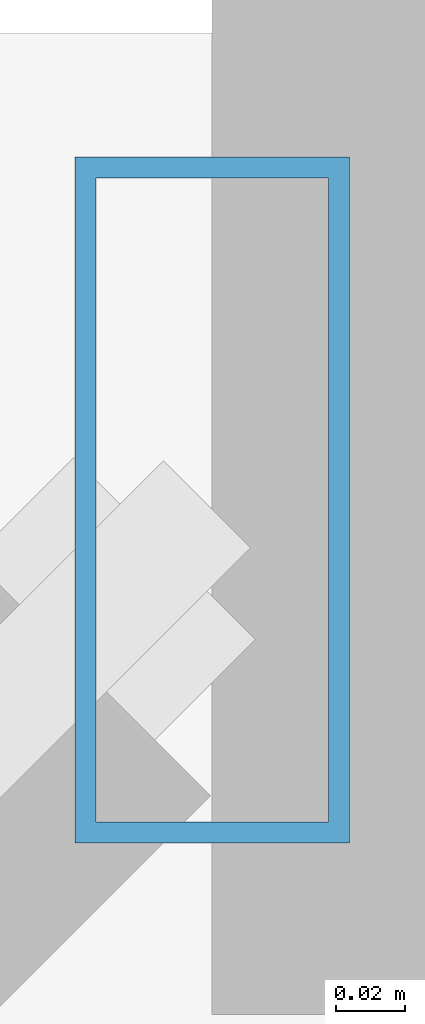
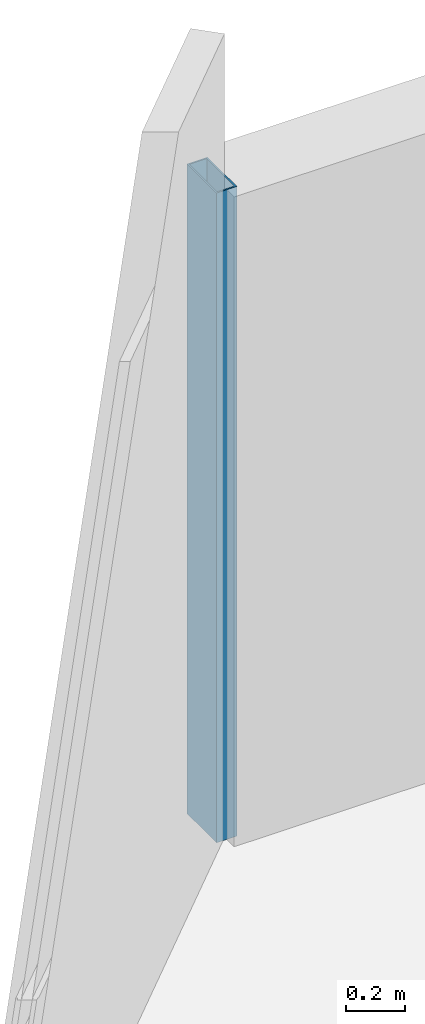
# One storey, part 16 of 33: 1 member, 1 element without a shape of its own.
"""IFC4 building model written with IfcOpenShell, lengths in metres."""

from ifc_helpers import new_model, si_unit, direction, frame, origin, origin_2d, place, context, subcontext, project, spatial, hollow_rectangle, extrude, material, material_profile, profile_set, type_object, element, aggregate, save


model = new_model("IFC4")

# Units and contexts
model_context = context("Model", 3, precision=1e-05, world=origin(), true_north=direction((0.0, 1.0)))
body_context = subcontext(model_context, "Body", "Model", "MODEL_VIEW")
ifc_project = project(units=[si_unit("LENGTHUNIT", "METRE"), si_unit("AREAUNIT", "SQUARE_METRE"), si_unit("VOLUMEUNIT", "CUBIC_METRE"), si_unit("PLANEANGLEUNIT", "RADIAN"), si_unit("MASSUNIT", "GRAM", prefix="KILO")], contexts=[model_context])

# Site, building, storey
site_placement = place(None, origin())
site = spatial("IfcSite", under=ifc_project, at=site_placement, CompositionType="ELEMENT")
building_placement = place(site_placement, origin())
building = spatial("IfcBuilding", under=site, at=building_placement, Name="Thornwick Lancets Civic Towers", CompositionType="ELEMENT")
storey_placement = place(building_placement, frame((0.0, 0.0, 167.10009765625)))
storey = spatial("IfcBuildingStorey", under=building, at=storey_placement, Name="L44", CompositionType="ELEMENT", Elevation=167.10009765625)

# Curtain wall, member
ifc_material_1 = material(Name="Mid-zone chamfered-corner unitised glass curtain wall", Category="glass")
curtain_wall_type = type_object("IfcCurtainWallType", Name="CW_SYS_04", PredefinedType="NOTDEFINED", material=ifc_material_1)
curtain_wall_placement = place(storey_placement, origin())
curtain_wall = element("IfcCurtainWall", 1, at=curtain_wall_placement, inside=storey, type_object=curtain_wall_type, Name="L44 Curtain Wall CW-L44-B-E5", PredefinedType="NOTDEFINED")
ifc_material_2 = material(Name="Thermally broken bronze aluminium S355", Category="steel")
ifc_material_profile = material_profile(ifc_material_2, hollow_rectangle(XDim=0.080078125, YDim=0.199951171875, WallThickness=0.006103515625, at=origin_2d()), Name="RHS 200x80x6")
ifc_profile_set = profile_set([ifc_material_profile], Name="Thermally broken bronze aluminium S355")
member_type = type_object("IfcMemberType", Name="CW_MUL_200", PredefinedType="MULLION", material=ifc_profile_set)
member_placement = place(storey_placement, frame((73.594482421875, 50.763671875, 0.0), z_axis=(0.0, 0.0, 1.0), x_axis=(1.0, 0.0, 0.0)))
member = element("IfcMember", 2, at=member_placement, type_object=member_type, Name="CW-L44-B-E5 Mullion 0", PredefinedType="MULLION", context=body_context, shape_type="SweptSolid", body=[
    extrude(hollow_rectangle(XDim=0.080078125, YDim=0.199951171875, WallThickness=0.006103515625, at=origin_2d()), origin(), (0.0, 0.0, 1.0), 2.699951171875),
])
aggregate(curtain_wall, [member])

save(model, "model.ifc")
